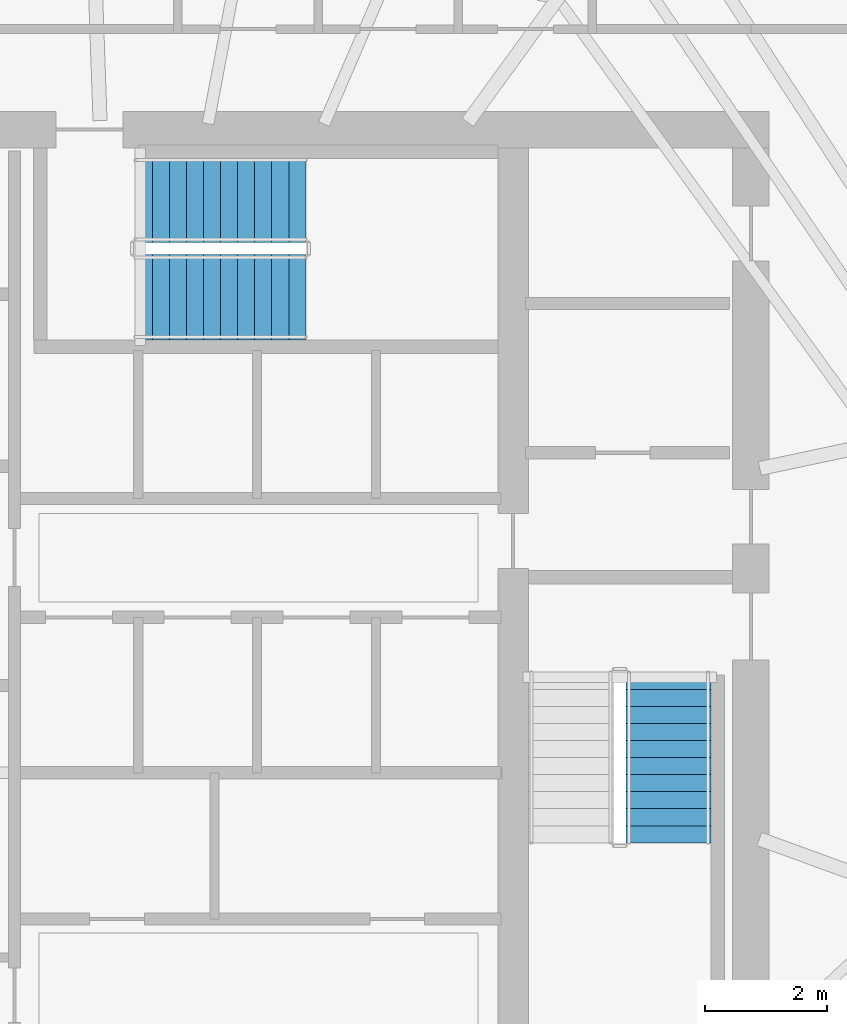
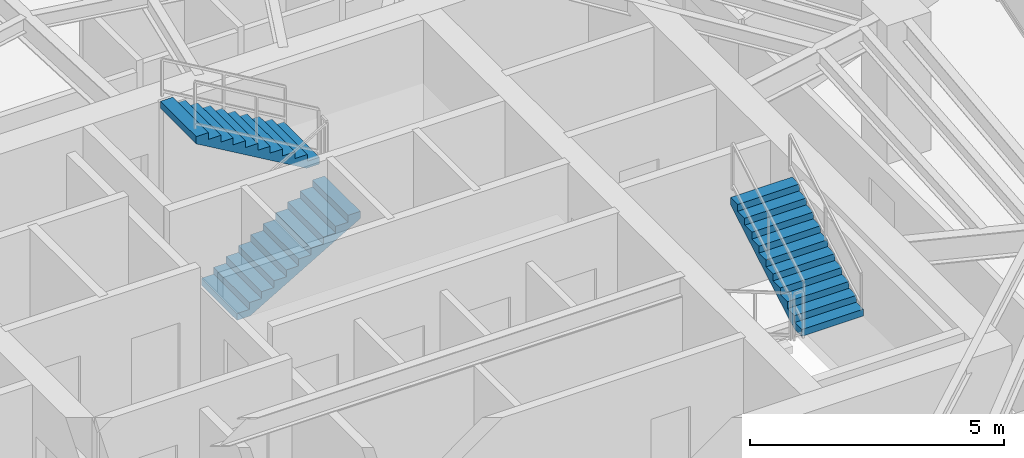
# One storey, part 17 of 19: 3 stair flights, 2 elements without a shape of their own.
"""IFC4 building model written with IfcOpenShell, lengths in metres."""

from ifc_helpers import new_model, si_unit, direction, frame, origin, place, context, subcontext, project, spatial, polyline, outline, extrude, material, type_object, element, aggregate, save


model = new_model("IFC4")

# Units and contexts
model_context = context("Model", 3, precision=1e-05, world=origin(), true_north=direction((0.0, 1.0)))
body_context = subcontext(model_context, "Body", "Model", "MODEL_VIEW")
ifc_project = project(units=[si_unit("LENGTHUNIT", "METRE"), si_unit("AREAUNIT", "SQUARE_METRE"), si_unit("VOLUMEUNIT", "CUBIC_METRE"), si_unit("PLANEANGLEUNIT", "RADIAN"), si_unit("MASSUNIT", "GRAM", prefix="KILO")], contexts=[model_context])

# Site, building, storey
site_placement = place(None, origin())
site = spatial("IfcSite", under=ifc_project, at=site_placement, CompositionType="ELEMENT")
building_placement = place(site_placement, origin())
building = spatial("IfcBuilding", under=site, at=building_placement, Name="Qarnah Convention Tower", CompositionType="ELEMENT")
storey_placement = place(building_placement, frame((0.0, 0.0, 143.699951171875)))
storey = spatial("IfcBuildingStorey", under=building, at=storey_placement, Name="L38", CompositionType="ELEMENT", Elevation=143.699951171875)

# Stair, stair flight
ifc_material = material(Name="Concrete C50/60", Category="concrete")
stair_type = type_object("IfcStairType", Name="STR-OFF", PredefinedType="HALF_TURN_STAIR", material=ifc_material)
stair_1_placement = place(storey_placement, origin())
stair_1 = element("IfcStair", 1, at=stair_1_placement, inside=storey, type_object=stair_type, Name="L38 Core exit stair ST-2", PredefinedType="HALF_TURN_STAIR")
stair_flight_type = type_object("IfcStairFlightType", Name="FLT-OFF", PredefinedType="STRAIGHT", material=ifc_material)
stair_flight_1_placement = place(storey_placement, frame((46.25, 22.5, 1.800048828125), z_axis=(0.0, 0.0, 1.0), x_axis=(0.0, 1.0, 0.0)))
stair_flight_1 = element("IfcStairFlight", 2, at=stair_flight_1_placement, type_object=stair_flight_type, Name="ST-2 flight 2", NumberOfRisers=11, NumberOfTreads=10, PredefinedType="STRAIGHT", RiserHeight=0.163636364, TreadLength=0.28, context=body_context, shape_type="SweptSolid", body=[
    extrude(outline(polyline([(0.0, 0.0), (0.0, 0.16357421875), (0.280029296875, 0.16357421875), (0.280029296875, 0.327392578125), (0.56005859375, 0.327392578125), (0.56005859375, 0.490966796875), (0.840087890625, 0.490966796875), (0.840087890625, 0.654541015625), (1.1201171875, 0.654541015625), (1.1201171875, 0.818115234375), (1.39990234375, 0.818115234375), (1.39990234375, 0.98193359375), (1.679931640625, 0.98193359375), (1.679931640625, 1.1455078125), (1.9599609375, 1.1455078125), (1.9599609375, 1.30908203125), (2.239990234375, 1.30908203125), (2.239990234375, 1.47265625), (2.52001953125, 1.47265625), (2.52001953125, 1.636474609375), (2.800048828125, 1.636474609375), (2.800048828125, 1.800048828125), (2.800048828125, 1.462646484375), (0.297119140625, 0.0), (0.0, 0.0)])), frame((0.0, 0.699951171875, 0.0), z_axis=(0.0, -1.0, 0.0), x_axis=(1.0, 0.0, 0.0)), (0.0, 0.0, 1.0), 1.39990234375),
])
aggregate(stair_1, [stair_flight_1])

# Stair, stair flights
stair_2_placement = place(storey_placement, origin())
stair_2 = element("IfcStair", 3, at=stair_2_placement, inside=storey, type_object=stair_type, Name="L38 Core exit stair ST-3", PredefinedType="HALF_TURN_STAIR")
stair_flight_2_placement = place(storey_placement, frame((37.5, 31.449951171875, 0.0), z_axis=(0.0, 0.0, 1.0), x_axis=(1.0, 0.0, 0.0)))
stair_flight_2 = element("IfcStairFlight", 4, at=stair_flight_2_placement, type_object=stair_flight_type, Name="ST-3 flight 1", NumberOfRisers=11, NumberOfTreads=10, PredefinedType="STRAIGHT", RiserHeight=0.163636364, TreadLength=0.28, context=body_context, shape_type="SweptSolid", body=[
    extrude(outline(polyline([(0.0, 0.0), (0.0, 0.16357421875), (0.280029296875, 0.16357421875), (0.280029296875, 0.327392578125), (0.56005859375, 0.327392578125), (0.56005859375, 0.490966796875), (0.840087890625, 0.490966796875), (0.840087890625, 0.654541015625), (1.1201171875, 0.654541015625), (1.1201171875, 0.818115234375), (1.39990234375, 0.818115234375), (1.39990234375, 0.98193359375), (1.679931640625, 0.98193359375), (1.679931640625, 1.1455078125), (1.9599609375, 1.1455078125), (1.9599609375, 1.30908203125), (2.239990234375, 1.30908203125), (2.239990234375, 1.47265625), (2.52001953125, 1.47265625), (2.52001953125, 1.636474609375), (2.800048828125, 1.636474609375), (2.800048828125, 1.800048828125), (2.800048828125, 1.462646484375), (0.297119140625, 0.0), (0.0, 0.0)])), frame((0.0, 0.699951171875, 0.0), z_axis=(0.0, -1.0, 0.0), x_axis=(1.0, 0.0, 0.0)), (0.0, 0.0, 1.0), 1.39990234375),
])
stair_flight_3_placement = place(storey_placement, frame((40.300048828125, 33.050048828125, 1.800048828125), z_axis=(0.0, 0.0, 1.0), x_axis=(-1.0, 0.0, 0.0)))
stair_flight_3 = element("IfcStairFlight", 5, at=stair_flight_3_placement, type_object=stair_flight_type, Name="ST-3 flight 2", NumberOfRisers=11, NumberOfTreads=10, PredefinedType="STRAIGHT", RiserHeight=0.163636364, TreadLength=0.28, context=body_context, shape_type="SweptSolid", body=[
    extrude(outline(polyline([(0.0, 0.0), (0.0, 0.16357421875), (0.280029296875, 0.16357421875), (0.280029296875, 0.327392578125), (0.56005859375, 0.327392578125), (0.56005859375, 0.490966796875), (0.840087890625, 0.490966796875), (0.840087890625, 0.654541015625), (1.1201171875, 0.654541015625), (1.1201171875, 0.818115234375), (1.39990234375, 0.818115234375), (1.39990234375, 0.98193359375), (1.679931640625, 0.98193359375), (1.679931640625, 1.1455078125), (1.9599609375, 1.1455078125), (1.9599609375, 1.30908203125), (2.239990234375, 1.30908203125), (2.239990234375, 1.47265625), (2.52001953125, 1.47265625), (2.52001953125, 1.636474609375), (2.800048828125, 1.636474609375), (2.800048828125, 1.800048828125), (2.800048828125, 1.462646484375), (0.297119140625, 0.0), (0.0, 0.0)])), frame((0.0, 0.699951171875, 0.0), z_axis=(0.0, -1.0, 0.0), x_axis=(1.0, 0.0, 0.0)), (0.0, 0.0, 1.0), 1.39990234375),
])
aggregate(stair_2, [stair_flight_2, stair_flight_3])

save(model, "model.ifc")
